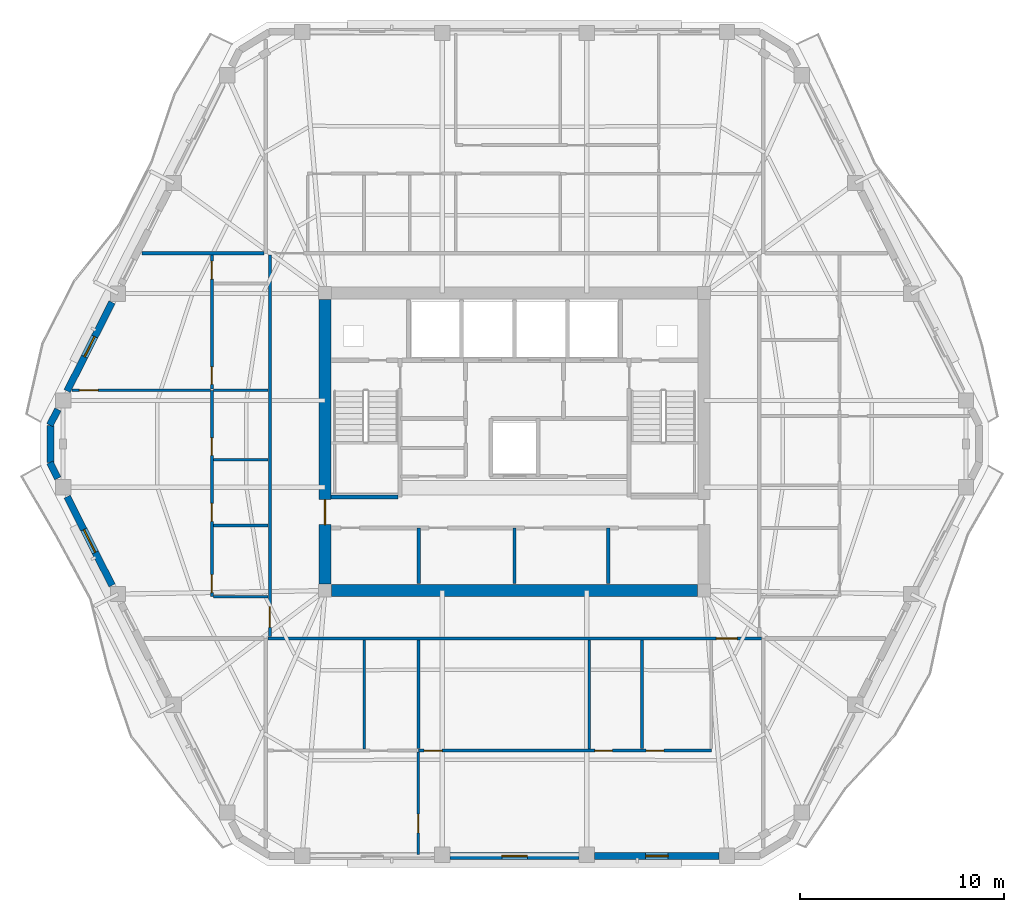
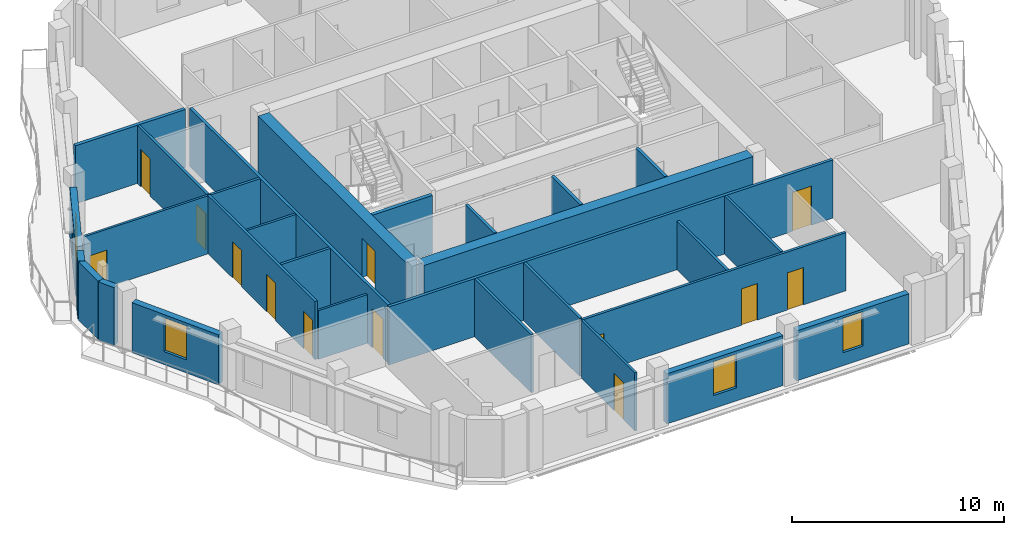
# One storey, part 4 of 12: 29 walls, 13 doors, 4 windows, 17 openings.
"""IFC4 building model written with IfcOpenShell, lengths in metres."""

from ifc_helpers import new_model, si_unit, direction, frame, frame_2d, origin, place, context, subcontext, project, spatial, rectangle, extrude, material, layer, layer_set, type_object, element, fill, save


model = new_model("IFC4")

# Units and contexts
model_context = context("Model", 3, precision=1e-05, world=origin(), true_north=direction((0.0, 1.0)))
body_context = subcontext(model_context, "Body", "Model", "MODEL_VIEW")
ifc_project = project(units=[si_unit("LENGTHUNIT", "METRE"), si_unit("AREAUNIT", "SQUARE_METRE"), si_unit("VOLUMEUNIT", "CUBIC_METRE"), si_unit("PLANEANGLEUNIT", "RADIAN"), si_unit("MASSUNIT", "GRAM", prefix="KILO")], contexts=[model_context])

# Site, building, storey
site_placement = place(None, origin())
site = spatial("IfcSite", under=ifc_project, at=site_placement, CompositionType="ELEMENT")
building_placement = place(site_placement, origin())
building = spatial("IfcBuilding", under=site, at=building_placement, Name="Cinnabar Lancet Tower", CompositionType="ELEMENT")
storey_placement = place(building_placement, frame((0.0, 0.0, 210.949951171875)))
storey = spatial("IfcBuildingStorey", under=building, at=storey_placement, Name="L56", CompositionType="ELEMENT", Elevation=210.949951171875)

# Walls
ifc_material_1 = material(Name="Acoustic twin-stud gypsum partition", Category="gypsum")
ifc_layer_1 = layer(ifc_material_1, 0.159912109375)
ifc_layer_set_1 = layer_set([ifc_layer_1], Name="Acoustic twin-stud gypsum partition")
wall_type_1 = type_object("IfcWallType", Name="ARC-WL-CORR-160", PredefinedType="PARTITIONING", material=ifc_layer_set_1)
for number, where, z_axis, x_axis, name in (
    (1, (27.699951171875, 18.949951171875, 0.0), (0.0, 0.0, 1.0), (0.0, 1.0, 0.0), "CW-SB-2770-L56"),
    (2, (32.39990234375, 18.949951171875, 0.0), (0.0, 0.0, 1.0), (0.0, 1.0, 0.0), "CW-SB-3240-L56"),
    (3, (37.0, 18.949951171875, 0.0), (0.0, 0.0, 1.0), (0.0, 1.0, 0.0), "CW-SB-3700-L56"),
):
    element("IfcWall", number, at=place(storey_placement, frame(where, z_axis=z_axis, x_axis=x_axis)), inside=storey, type_object=wall_type_1, Name=name, PredefinedType="PARTITIONING", context=body_context, shape_type="SweptSolid", body=[
        extrude(rectangle(XDim=2.72998046875, YDim=0.159912109375, at=frame_2d((1.364990234375, 0.0))), origin(), (0.0, 0.0, 1.0), 3.35009765625),
    ])

# Wall, opening, door
wall_1_placement = place(storey_placement, frame((20.294921875, 16.25, 0.0), z_axis=(0.0, 0.0, 1.0), x_axis=(1.0, 0.0, 0.0)))
wall_1 = element("IfcWall", 4, at=wall_1_placement, inside=storey, type_object=wall_type_1, Name="L56 Unit S01 Corridor Wall", PredefinedType="PARTITIONING", context=body_context, shape_type="SweptSolid", body=[
    extrude(rectangle(XDim=24.2099609375, YDim=0.159912109375, at=frame_2d((12.10498046875, 0.0))), origin(), (0.0, 0.0, 1.0), 3.35009765625),
])
opening_1_placement = place(wall_1_placement, frame((22.0048828125, 0.0, 0.0)))
opening_1 = element("IfcOpeningElement", 5, at=opening_1_placement, cuts=wall_1, Name="Opening UD-01", PredefinedType="OPENING", context=body_context, shape_type="SweptSolid", body=[
    extrude(rectangle(XDim=1.02001953125, YDim=2.25, at=frame_2d((0.510009765625, 1.125))), frame((0.0, 0.08984375, 0.0), z_axis=(0.0, -1.0, 0.0), x_axis=(1.0, 0.0, 0.0)), (0.0, 0.0, 1.0), 0.179931640625),
])
ifc_material_2 = material(Name="Solid timber fire-rated apartment entrance door", Category="wood")
door_type_1 = type_object("IfcDoorType", Name="ARC-DR-UNIT", OperationType="NOTDEFINED", PredefinedType="DOOR", material=ifc_material_2)
door_1_placement = place(opening_1_placement, origin())
door_1 = element("IfcDoor", 6, at=door_1_placement, inside=storey, type_object=door_type_1, Name="DR-L56-S01-ENT", OperationType="SINGLE_SWING_RIGHT", OverallHeight=2.25, OverallWidth=1.02001953125, PredefinedType="DOOR", context=body_context, shape_type="SweptSolid", body=[
    extrude(rectangle(XDim=1.02001953125, YDim=2.25, at=frame_2d((0.510009765625, 1.125))), frame((0.0, 0.02490234375, 0.0), z_axis=(0.0, -1.0, 0.0), x_axis=(1.0, 0.0, 0.0)), (0.0, 0.0, 1.0), 0.050048828125),
])
fill(opening_1, door_1)

wall_2_placement = place(storey_placement, frame((20.39990234375, 16.344970703125, 0.0), z_axis=(0.0, 0.0, 1.0), x_axis=(0.0, 1.0, 0.0)))
wall_2 = element("IfcWall", 7, at=wall_2_placement, inside=storey, type_object=wall_type_1, Name="UW-L56-W01-COR", PredefinedType="PARTITIONING", context=body_context, shape_type="SweptSolid", body=[
    extrude(rectangle(XDim=18.7099609375, YDim=0.159912109375, at=frame_2d((9.35498046875, 0.0))), origin(), (0.0, 0.0, 1.0), 3.35009765625),
])
opening_2_placement = place(wall_2_placement, frame((0.449951171875, 0.0, 0.0)))
opening_2 = element("IfcOpeningElement", 8, at=opening_2_placement, cuts=wall_2, Name="Opening UD-01", PredefinedType="OPENING", context=body_context, shape_type="SweptSolid", body=[
    extrude(rectangle(XDim=1.02001953125, YDim=2.25, at=frame_2d((0.510009765625, 1.125))), frame((0.0, 0.08984375, 0.0), z_axis=(0.0, -1.0, 0.0), x_axis=(1.0, 0.0, 0.0)), (0.0, 0.0, 1.0), 0.179931640625),
])
door_2_placement = place(opening_2_placement, origin())
door_2 = element("IfcDoor", 9, at=door_2_placement, inside=storey, type_object=door_type_1, Name="DR-L56-W01-ENT", OperationType="SINGLE_SWING_RIGHT", OverallHeight=2.25, OverallWidth=1.02001953125, PredefinedType="DOOR", context=body_context, shape_type="SweptSolid", body=[
    extrude(rectangle(XDim=1.02001953125, YDim=2.25, at=frame_2d((0.510009765625, 1.125))), frame((0.0, 0.02490234375, 0.0), z_axis=(0.0, -1.0, 0.0), x_axis=(1.0, 0.0, 0.0)), (0.0, 0.0, 1.0), 0.050048828125),
])
fill(opening_2, door_2)

# Walls
ifc_material_3 = material(Name="Fire-rated twin-frame acoustic drywall", Category="gypsum")
ifc_layer_2 = layer(ifc_material_3, 0.179931640625)
ifc_layer_set_2 = layer_set([ifc_layer_2], Name="Fire-rated twin-frame acoustic drywall")
wall_type_2 = type_object("IfcWallType", Name="ARC-WL-PARTY-180", PredefinedType="PARTITIONING", material=ifc_layer_set_2)
wall_3_placement = place(storey_placement, frame((14.110107421875, 35.14990234375, 0.0), z_axis=(0.0, 0.0, 1.0), x_axis=(1.0, 0.0, 0.0)))
element("IfcWall", 10, at=wall_3_placement, inside=storey, type_object=wall_type_2, Name="PW-L56-WNB", PredefinedType="PARTITIONING", context=body_context, shape_type="SweptSolid", body=[
    extrude(rectangle(XDim=5.994873046875, YDim=0.179931640625, at=frame_2d((2.99755859375, 0.0))), origin(), (0.0, 0.0, 1.0), 3.35009765625),
])
ifc_material_4 = material(Name="Autoclaved aerated concrete blockwork", Category="masonry")
ifc_layer_3 = layer(ifc_material_4, 0.199951171875)
ifc_layer_set_3 = layer_set([ifc_layer_3], Name="Autoclaved aerated concrete blockwork")
wall_type_3 = type_object("IfcWallType", Name="ARC-WL-SHAFT-200", PredefinedType="PLUMBINGWALL", material=ifc_layer_set_3)
wall_4_placement = place(storey_placement, frame((23.405029296875, 23.199951171875, 0.0), z_axis=(0.0, 0.0, 1.0), x_axis=(1.0, 0.0, 0.0)))
element("IfcWall", 11, at=wall_4_placement, inside=storey, type_object=wall_type_3, Name="CW-ST1S-L56", PredefinedType="PLUMBINGWALL", context=body_context, shape_type="SweptSolid", body=[
    extrude(rectangle(XDim=3.27001953125, YDim=0.199951171875, at=frame_2d((1.635009765625, 0.0))), origin(), (0.0, 0.0, 1.0), 3.35009765625),
])

# Wall, opening, door
ifc_material_5 = material(Name="Gypsum plasterboard stud partition", Category="gypsum")
ifc_layer_4 = layer(ifc_material_5, 0.125)
ifc_layer_set_4 = layer_set([ifc_layer_4], Name="Gypsum plasterboard stud partition")
wall_type_4 = type_object("IfcWallType", Name="ARC-WL-UNIT-125", PredefinedType="PARTITIONING", material=ifc_layer_set_4)
wall_5_placement = place(storey_placement, frame((27.68603515625, 5.6650390625, 0.0), z_axis=(0.0, 0.0, 1.0), x_axis=(0.0, 1.0, 0.0)))
wall_5 = element("IfcWall", 12, at=wall_5_placement, inside=storey, type_object=wall_type_4, Name="UW-L56-S01-MBW", PredefinedType="PARTITIONING", context=body_context, shape_type="SweptSolid", body=[
    extrude(rectangle(XDim=5.011962890625, YDim=0.125, at=frame_2d((2.505859375, 0.0))), origin(), (0.0, 0.0, 1.0), 3.35009765625),
])
opening_3_placement = place(wall_5_placement, frame((1.050048828125, 0.0, 0.0)))
opening_3 = element("IfcOpeningElement", 13, at=opening_3_placement, cuts=wall_5, Name="Opening RD-01", PredefinedType="OPENING", context=body_context, shape_type="SweptSolid", body=[
    extrude(rectangle(XDim=0.919921875, YDim=2.14990234375, at=frame_2d((0.4599609375, 1.074951171875))), frame((0.0, 0.072509765625, 0.0), z_axis=(0.0, -1.0, 0.0), x_axis=(1.0, 0.0, 0.0)), (0.0, 0.0, 1.0), 0.14501953125),
])
ifc_material_6 = material(Name="Engineered timber bedroom door", Category="wood")
door_type_2 = type_object("IfcDoorType", Name="ARC-DR-ROOM", OperationType="NOTDEFINED", PredefinedType="DOOR", material=ifc_material_6)
door_3_placement = place(opening_3_placement, origin())
door_3 = element("IfcDoor", 14, at=door_3_placement, inside=storey, type_object=door_type_2, Name="DR-L56-S01-MBD", OperationType="SINGLE_SWING_LEFT", OverallHeight=2.14990234375, OverallWidth=0.919921875, PredefinedType="DOOR", context=body_context, shape_type="SweptSolid", body=[
    extrude(rectangle(XDim=0.919921875, YDim=2.14990234375, at=frame_2d((0.4599609375, 1.074951171875))), frame((0.0, 0.02490234375, 0.0), z_axis=(0.0, -1.0, 0.0), x_axis=(1.0, 0.0, 0.0)), (0.0, 0.0, 1.0), 0.050048828125),
])
fill(opening_3, door_3)

# Wall
wall_6_placement = place(storey_placement, frame((17.635009765625, 18.300048828125, 0.0), z_axis=(0.0, 0.0, 1.0), x_axis=(1.0, 0.0, 0.0)))
element("IfcWall", 15, at=wall_6_placement, inside=storey, type_object=wall_type_4, Name="UW-L56-W01-FOYN", PredefinedType="PARTITIONING", context=body_context, shape_type="SweptSolid", body=[
    extrude(rectangle(XDim=2.679931640625, YDim=0.125, at=frame_2d((1.33984375, 0.0))), origin(), (0.0, 0.0, 1.0), 2.80712890625),
])

# Wall, opening, door
wall_7_placement = place(storey_placement, frame((10.694091796875, 28.428955078125, 0.0), z_axis=(0.0, 0.0, 1.0), x_axis=(1.0, 0.0, 0.0)))
wall_7 = element("IfcWall", 16, at=wall_7_placement, inside=storey, type_object=wall_type_4, Name="UW-L56-W01-MBN", PredefinedType="PARTITIONING", context=body_context, shape_type="SweptSolid", body=[
    extrude(rectangle(XDim=6.781005859375, YDim=0.125, at=frame_2d((3.390625, 0.0))), origin(), (0.0, 0.0, 1.0), 3.35009765625),
])
opening_4_placement = place(wall_7_placement, frame((0.35009765625, 0.0, 0.0)))
opening_4 = element("IfcOpeningElement", 17, at=opening_4_placement, cuts=wall_7, Name="Opening RD-01", PredefinedType="OPENING", context=body_context, shape_type="SweptSolid", body=[
    extrude(rectangle(XDim=0.919921875, YDim=2.14990234375, at=frame_2d((0.4599609375, 1.074951171875))), frame((0.0, 0.072509765625, 0.0), z_axis=(0.0, -1.0, 0.0), x_axis=(1.0, 0.0, 0.0)), (0.0, 0.0, 1.0), 0.14501953125),
])
door_4_placement = place(opening_4_placement, origin())
door_4 = element("IfcDoor", 18, at=door_4_placement, inside=storey, type_object=door_type_2, Name="DR-L56-W01-MBD", OperationType="SINGLE_SWING_RIGHT", OverallHeight=2.14990234375, OverallWidth=0.919921875, PredefinedType="DOOR", context=body_context, shape_type="SweptSolid", body=[
    extrude(rectangle(XDim=0.919921875, YDim=2.14990234375, at=frame_2d((0.4599609375, 1.074951171875))), frame((0.0, 0.02490234375, 0.0), z_axis=(0.0, -1.0, 0.0), x_axis=(1.0, 0.0, 0.0)), (0.0, 0.0, 1.0), 0.050048828125),
])
fill(opening_4, door_4)

# Wall
wall_8_placement = place(storey_placement, frame((17.635009765625, 25.029052734375, 0.0), z_axis=(0.0, 0.0, 1.0), x_axis=(1.0, 0.0, 0.0)))
element("IfcWall", 19, at=wall_8_placement, inside=storey, type_object=wall_type_4, Name="UW-L56-W01-UDV", PredefinedType="PARTITIONING", context=body_context, shape_type="SweptSolid", body=[
    extrude(rectangle(XDim=2.679931640625, YDim=0.125, at=frame_2d((1.33984375, 0.0))), origin(), (0.0, 0.0, 1.0), 3.35009765625),
])

# Wall, openings, doors
ifc_material_7 = material(Name="Moisture-resistant cement-board plumbing wall", Category="masonry")
ifc_layer_5 = layer(ifc_material_7, 0.139892578125)
ifc_layer_set_5 = layer_set([ifc_layer_5], Name="Moisture-resistant cement-board plumbing wall")
wall_type_5 = type_object("IfcWallType", Name="ARC-WL-WET-140", PredefinedType="PLUMBINGWALL", material=ifc_layer_set_5)
wall_9_placement = place(storey_placement, frame((27.68603515625, 10.751953125, 0.0), z_axis=(0.0, 0.0, 1.0), x_axis=(1.0, 0.0, 0.0)))
wall_9 = element("IfcWall", 20, at=wall_9_placement, inside=storey, type_object=wall_type_5, Name="UW-L56-S01-SPL", PredefinedType="PLUMBINGWALL", context=body_context, shape_type="SweptSolid", body=[
    extrude(rectangle(XDim=14.364013671875, YDim=0.139892578125, at=frame_2d((7.18212890625, 0.0))), origin(), (0.0, 0.0, 1.0), 3.35009765625),
])
opening_5_placement = place(wall_9_placement, frame((0.280029296875, 0.0, 0.0)))
opening_5 = element("IfcOpeningElement", 21, at=opening_5_placement, cuts=wall_9, Name="Opening RD-02", PredefinedType="OPENING", context=body_context, shape_type="SweptSolid", body=[
    extrude(rectangle(XDim=0.8798828125, YDim=2.14990234375, at=frame_2d((0.43994140625, 1.074951171875))), frame((0.0, 0.079833984375, 0.0), z_axis=(0.0, -1.0, 0.0), x_axis=(1.0, 0.0, 0.0)), (0.0, 0.0, 1.0), 0.159912109375),
])
opening_6_placement = place(wall_9_placement, frame((8.658935546875, 0.0, 0.0)))
opening_6 = element("IfcOpeningElement", 22, at=opening_6_placement, cuts=wall_9, Name="Opening BD-01", PredefinedType="OPENING", context=body_context, shape_type="SweptSolid", body=[
    extrude(rectangle(XDim=0.860107421875, YDim=2.10009765625, at=frame_2d((0.43017578125, 1.050048828125))), frame((0.0, 0.079833984375, 0.0), z_axis=(0.0, -1.0, 0.0), x_axis=(1.0, 0.0, 0.0)), (0.0, 0.0, 1.0), 0.159912109375),
])
opening_7_placement = place(wall_9_placement, frame((11.1640625, 0.0, 0.0)))
opening_7 = element("IfcOpeningElement", 23, at=opening_7_placement, cuts=wall_9, Name="Opening RD-02", PredefinedType="OPENING", context=body_context, shape_type="SweptSolid", body=[
    extrude(rectangle(XDim=0.8798828125, YDim=2.14990234375, at=frame_2d((0.43994140625, 1.074951171875))), frame((0.0, 0.079833984375, 0.0), z_axis=(0.0, -1.0, 0.0), x_axis=(1.0, 0.0, 0.0)), (0.0, 0.0, 1.0), 0.159912109375),
])
ifc_material_8 = material(Name="Moisture-resistant timber bathroom door", Category="wood")
door_type_3 = type_object("IfcDoorType", Name="ARC-DR-BATH", OperationType="NOTDEFINED", PredefinedType="DOOR", material=ifc_material_8)
door_5_placement = place(opening_6_placement, origin())
door_5 = element("IfcDoor", 24, at=door_5_placement, inside=storey, type_object=door_type_3, Name="DR-L56-S01-BTH", OperationType="SINGLE_SWING_RIGHT", OverallHeight=2.10009765625, OverallWidth=0.860107421875, PredefinedType="DOOR", context=body_context, shape_type="SweptSolid", body=[
    extrude(rectangle(XDim=0.860107421875, YDim=2.10009765625, at=frame_2d((0.43017578125, 1.050048828125))), frame((0.0, 0.02490234375, 0.0), z_axis=(0.0, -1.0, 0.0), x_axis=(1.0, 0.0, 0.0)), (0.0, 0.0, 1.0), 0.050048828125),
])
fill(opening_6, door_5)
ifc_material_9 = material(Name="Engineered timber study door", Category="wood")
door_type_4 = type_object("IfcDoorType", Name="ARC-DR-STUDY", OperationType="NOTDEFINED", PredefinedType="DOOR", material=ifc_material_9)
door_6_placement = place(opening_5_placement, origin())
door_6 = element("IfcDoor", 25, at=door_6_placement, inside=storey, type_object=door_type_4, Name="DR-L56-S01-BTH-WDR", OperationType="SINGLE_SWING_LEFT", OverallHeight=2.14990234375, OverallWidth=0.8798828125, PredefinedType="DOOR", context=body_context, shape_type="SweptSolid", body=[
    extrude(rectangle(XDim=0.8798828125, YDim=2.14990234375, at=frame_2d((0.43994140625, 1.074951171875))), frame((0.0, 0.02490234375, 0.0), z_axis=(0.0, -1.0, 0.0), x_axis=(1.0, 0.0, 0.0)), (0.0, 0.0, 1.0), 0.050048828125),
])
fill(opening_5, door_6)
door_7_placement = place(opening_7_placement, origin())
door_7 = element("IfcDoor", 26, at=door_7_placement, inside=storey, type_object=door_type_4, Name="DR-L56-S01-KIT", OperationType="SINGLE_SWING_RIGHT", OverallHeight=2.14990234375, OverallWidth=0.8798828125, PredefinedType="DOOR", context=body_context, shape_type="SweptSolid", body=[
    extrude(rectangle(XDim=0.8798828125, YDim=2.14990234375, at=frame_2d((0.43994140625, 1.074951171875))), frame((0.0, 0.02490234375, 0.0), z_axis=(0.0, -1.0, 0.0), x_axis=(1.0, 0.0, 0.0)), (0.0, 0.0, 1.0), 0.050048828125),
])
fill(opening_7, door_7)

# Walls
for number, where, z_axis, x_axis, name in (
    (27, (38.64990234375, 10.85693359375, 0.0), (0.0, 0.0, 1.0), (0.0, 1.0, 0.0), "UW-L56-S01-KBD"),
    (28, (27.68603515625, 10.85693359375, 0.0), (0.0, 0.0, 1.0), (0.0, 1.0, 0.0), "UW-L56-S01-ENSW"),
):
    element("IfcWall", number, at=place(storey_placement, frame(where, z_axis=z_axis, x_axis=x_axis)), inside=storey, type_object=wall_type_5, Name=name, PredefinedType="PLUMBINGWALL", context=body_context, shape_type="SweptSolid", body=[
        extrude(rectangle(XDim=5.30810546875, YDim=0.139892578125, at=frame_2d((2.654052734375, 0.0))), origin(), (0.0, 0.0, 1.0), 3.35009765625),
    ])
wall_10_placement = place(storey_placement, frame((36.06494140625, 10.8369140625, 0.0), z_axis=(0.0, 0.0, 1.0), x_axis=(0.0, 1.0, 0.0)))
element("IfcWall", 29, at=wall_10_placement, inside=storey, type_object=wall_type_5, Name="UW-L56-S01-BTH-WDV", PredefinedType="PLUMBINGWALL", context=body_context, shape_type="SweptSolid", body=[
    extrude(rectangle(XDim=5.328125, YDim=0.139892578125, at=frame_2d((2.6640625, 0.0))), origin(), (0.0, 0.0, 1.0), 2.80712890625),
])
wall_11_placement = place(storey_placement, frame((25.02587890625, 10.8369140625, 0.0), z_axis=(0.0, 0.0, 1.0), x_axis=(0.0, 1.0, 0.0)))
element("IfcWall", 30, at=wall_11_placement, inside=storey, type_object=wall_type_5, Name="UW-L56-S01-ENS-WDV", PredefinedType="PLUMBINGWALL", context=body_context, shape_type="SweptSolid", body=[
    extrude(rectangle(XDim=5.328125, YDim=0.139892578125, at=frame_2d((2.6640625, 0.0))), origin(), (0.0, 0.0, 1.0), 3.35009765625),
])

# Wall, openings, doors
wall_12_placement = place(storey_placement, frame((17.550048828125, 18.300048828125, 0.0), z_axis=(0.0, 0.0, 1.0), x_axis=(0.0, 1.0, 0.0)))
wall_12 = element("IfcWall", 31, at=wall_12_placement, inside=storey, type_object=wall_type_5, Name="UW-L56-W01-SPL", PredefinedType="PLUMBINGWALL", context=body_context, shape_type="SweptSolid", body=[
    extrude(rectangle(XDim=10.12890625, YDim=0.139892578125, at=frame_2d((5.064453125, 0.0))), origin(), (0.0, 0.0, 1.0), 3.35009765625),
])
opening_8_placement = place(wall_12_placement, frame((0.199951171875, 0.0, 0.0)))
opening_8 = element("IfcOpeningElement", 32, at=opening_8_placement, cuts=wall_12, Name="Opening RD-02", PredefinedType="OPENING", context=body_context, shape_type="SweptSolid", body=[
    extrude(rectangle(XDim=0.8798828125, YDim=2.14990234375, at=frame_2d((0.43994140625, 1.074951171875))), frame((0.0, 0.079833984375, 0.0), z_axis=(0.0, -1.0, 0.0), x_axis=(1.0, 0.0, 0.0)), (0.0, 0.0, 1.0), 0.159912109375),
])
opening_9_placement = place(wall_12_placement, frame((3.699951171875, 0.0, 0.0)))
opening_9 = element("IfcOpeningElement", 33, at=opening_9_placement, cuts=wall_12, Name="Opening RD-02", PredefinedType="OPENING", context=body_context, shape_type="SweptSolid", body=[
    extrude(rectangle(XDim=0.8798828125, YDim=2.14990234375, at=frame_2d((0.43994140625, 1.074951171875))), frame((0.0, 0.079833984375, 0.0), z_axis=(0.0, -1.0, 0.0), x_axis=(1.0, 0.0, 0.0)), (0.0, 0.0, 1.0), 0.159912109375),
])
opening_10_placement = place(wall_12_placement, frame((6.928955078125, 0.0, 0.0)))
opening_10 = element("IfcOpeningElement", 34, at=opening_10_placement, cuts=wall_12, Name="Opening BD-01", PredefinedType="OPENING", context=body_context, shape_type="SweptSolid", body=[
    extrude(rectangle(XDim=0.860107421875, YDim=2.10009765625, at=frame_2d((0.43017578125, 1.050048828125))), frame((0.0, 0.079833984375, 0.0), z_axis=(0.0, -1.0, 0.0), x_axis=(1.0, 0.0, 0.0)), (0.0, 0.0, 1.0), 0.159912109375),
])
door_8_placement = place(opening_10_placement, origin())
door_8 = element("IfcDoor", 35, at=door_8_placement, inside=storey, type_object=door_type_3, Name="DR-L56-W01-BTH", OperationType="SINGLE_SWING_LEFT", OverallHeight=2.10009765625, OverallWidth=0.860107421875, PredefinedType="DOOR", context=body_context, shape_type="SweptSolid", body=[
    extrude(rectangle(XDim=0.860107421875, YDim=2.10009765625, at=frame_2d((0.43017578125, 1.050048828125))), frame((0.0, 0.02490234375, 0.0), z_axis=(0.0, -1.0, 0.0), x_axis=(1.0, 0.0, 0.0)), (0.0, 0.0, 1.0), 0.050048828125),
])
fill(opening_10, door_8)
door_9_placement = place(opening_8_placement, origin())
door_9 = element("IfcDoor", 36, at=door_9_placement, inside=storey, type_object=door_type_4, Name="DR-L56-W01-KIT", OperationType="SINGLE_SWING_LEFT", OverallHeight=2.14990234375, OverallWidth=0.8798828125, PredefinedType="DOOR", context=body_context, shape_type="SweptSolid", body=[
    extrude(rectangle(XDim=0.8798828125, YDim=2.14990234375, at=frame_2d((0.43994140625, 1.074951171875))), frame((0.0, 0.02490234375, 0.0), z_axis=(0.0, -1.0, 0.0), x_axis=(1.0, 0.0, 0.0)), (0.0, 0.0, 1.0), 0.050048828125),
])
fill(opening_8, door_9)
door_10_placement = place(opening_9_placement, origin())
door_10 = element("IfcDoor", 37, at=door_10_placement, inside=storey, type_object=door_type_4, Name="DR-L56-W01-UTL", OperationType="SINGLE_SWING_RIGHT", OverallHeight=2.14990234375, OverallWidth=0.8798828125, PredefinedType="DOOR", context=body_context, shape_type="SweptSolid", body=[
    extrude(rectangle(XDim=0.8798828125, YDim=2.14990234375, at=frame_2d((0.43994140625, 1.074951171875))), frame((0.0, 0.02490234375, 0.0), z_axis=(0.0, -1.0, 0.0), x_axis=(1.0, 0.0, 0.0)), (0.0, 0.0, 1.0), 0.050048828125),
])
fill(opening_9, door_10)

wall_13_placement = place(storey_placement, frame((17.550048828125, 28.4990234375, 0.0), z_axis=(0.0, 0.0, 1.0), x_axis=(0.0, 1.0, 0.0)))
wall_13 = element("IfcWall", 38, at=wall_13_placement, inside=storey, type_object=wall_type_5, Name="UW-L56-W01-SPM", PredefinedType="PLUMBINGWALL", context=body_context, shape_type="SweptSolid", body=[
    extrude(rectangle(XDim=6.555908203125, YDim=0.139892578125, at=frame_2d((3.27783203125, 0.0))), origin(), (0.0, 0.0, 1.0), 3.35009765625),
])
opening_11_placement = place(wall_13_placement, frame((0.219970703125, 0.0, 0.0)))
opening_11 = element("IfcOpeningElement", 39, at=opening_11_placement, cuts=wall_13, Name="Opening BD-01", PredefinedType="OPENING", context=body_context, shape_type="SweptSolid", body=[
    extrude(rectangle(XDim=0.860107421875, YDim=2.10009765625, at=frame_2d((0.43017578125, 1.050048828125))), frame((0.0, 0.079833984375, 0.0), z_axis=(0.0, -1.0, 0.0), x_axis=(1.0, 0.0, 0.0)), (0.0, 0.0, 1.0), 0.159912109375),
])
opening_12_placement = place(wall_13_placement, frame((5.388916015625, 0.0, 0.0)))
opening_12 = element("IfcOpeningElement", 40, at=opening_12_placement, cuts=wall_13, Name="Opening RD-02", PredefinedType="OPENING", context=body_context, shape_type="SweptSolid", body=[
    extrude(rectangle(XDim=0.8798828125, YDim=2.14990234375, at=frame_2d((0.43994140625, 1.074951171875))), frame((0.0, 0.079833984375, 0.0), z_axis=(0.0, -1.0, 0.0), x_axis=(1.0, 0.0, 0.0)), (0.0, 0.0, 1.0), 0.159912109375),
])
door_11_placement = place(opening_11_placement, origin())
door_11 = element("IfcDoor", 41, at=door_11_placement, inside=storey, type_object=door_type_3, Name="DR-L56-W01-ENS", OperationType="SINGLE_SWING_RIGHT", OverallHeight=2.10009765625, OverallWidth=0.860107421875, PredefinedType="DOOR", context=body_context, shape_type="SweptSolid", body=[
    extrude(rectangle(XDim=0.860107421875, YDim=2.10009765625, at=frame_2d((0.43017578125, 1.050048828125))), frame((0.0, 0.02490234375, 0.0), z_axis=(0.0, -1.0, 0.0), x_axis=(1.0, 0.0, 0.0)), (0.0, 0.0, 1.0), 0.050048828125),
])
fill(opening_11, door_11)
door_12_placement = place(opening_12_placement, origin())
door_12 = element("IfcDoor", 42, at=door_12_placement, inside=storey, type_object=door_type_4, Name="DR-L56-W01-EWDR", OperationType="SINGLE_SWING_LEFT", OverallHeight=2.14990234375, OverallWidth=0.8798828125, PredefinedType="DOOR", context=body_context, shape_type="SweptSolid", body=[
    extrude(rectangle(XDim=0.8798828125, YDim=2.14990234375, at=frame_2d((0.43994140625, 1.074951171875))), frame((0.0, 0.02490234375, 0.0), z_axis=(0.0, -1.0, 0.0), x_axis=(1.0, 0.0, 0.0)), (0.0, 0.0, 1.0), 0.050048828125),
])
fill(opening_12, door_12)

# Walls
for number, where, z_axis, x_axis, name in (
    (43, (17.635009765625, 28.428955078125, 0.0), (0.0, 0.0, 1.0), (1.0, 0.0, 0.0), "UW-L56-W01-ENSN"),
    (44, (17.635009765625, 21.800048828125, 0.0), (0.0, 0.0, 1.0), (1.0, 0.0, 0.0), "UW-L56-W01-KDV"),
):
    element("IfcWall", number, at=place(storey_placement, frame(where, z_axis=z_axis, x_axis=x_axis)), inside=storey, type_object=wall_type_5, Name=name, PredefinedType="PLUMBINGWALL", context=body_context, shape_type="SweptSolid", body=[
        extrude(rectangle(XDim=2.679931640625, YDim=0.139892578125, at=frame_2d((1.33984375, 0.0))), origin(), (0.0, 0.0, 1.0), 3.35009765625),
    ])
ifc_material_10 = material(Name="Cinnabar red clay brick", Category="masonry")
ifc_layer_6 = layer(ifc_material_10, 0.340087890625)
ifc_layer_set_6 = layer_set([ifc_layer_6], Name="Cinnabar red clay brick")
wall_type_6 = type_object("IfcWallType", Name="ENV-WL-BRK-RED-340", PredefinedType="STANDARD", material=ifc_layer_set_6)
wall_14_placement = place(storey_placement, frame((9.6220703125, 26.7080078125, 0.0), z_axis=(0.0, 0.0, 1.0), x_axis=(0.0, -1.0, 0.0)))
element("IfcWall", 45, at=wall_14_placement, inside=storey, type_object=wall_type_6, Name="L56 Chamfered Corner Brick Pier 6.1", PredefinedType="STANDARD", context=body_context, shape_type="SweptSolid", body=[
    extrude(rectangle(XDim=1.81591796875, YDim=0.340087890625, at=frame_2d((0.907958984375, 0.0))), origin(), (0.0, 0.0, 1.0), 3.35009765625),
])

# Wall, opening, window
wall_15_placement = place(storey_placement, frame((29.236083984375, 5.580078125, 0.0), z_axis=(0.0, 0.0, 1.0), x_axis=(1.0, 0.0, 0.0)))
wall_15 = element("IfcWall", 46, at=wall_15_placement, inside=storey, type_object=wall_type_6, Name="L56 Face 1 Masonry Bay Wall 3", PredefinedType="STANDARD", context=body_context, shape_type="SweptSolid", body=[
    extrude(rectangle(XDim=6.327880859375, YDim=0.340087890625, at=frame_2d((3.1640625, 0.0))), origin(), (0.0, 0.0, 1.0), 2.883056640625),
])
opening_13_placement = place(wall_15_placement, frame((2.5390625, 0.0, 0.75)))
opening_13 = element("IfcOpeningElement", 47, at=opening_13_placement, cuts=wall_15, Name="Opening WN-03", PredefinedType="OPENING", context=body_context, shape_type="SweptSolid", body=[
    extrude(rectangle(XDim=1.25, YDim=1.949951171875, at=frame_2d((0.625, 0.97509765625))), frame((0.0, 0.179931640625, 0.0), z_axis=(0.0, -1.0, 0.0), x_axis=(1.0, 0.0, 0.0)), (0.0, 0.0, 1.0), 0.360107421875),
])
ifc_material_11 = material(Name="Thermally broken bronze-anodized aluminium low-E double glazing", Category="aluminium")
window_type_1 = type_object("IfcWindowType", Name="ENV-WN-LANCET-1250", PartitioningType="SINGLE_PANEL", PredefinedType="WINDOW", material=ifc_material_11)
window_1_placement = place(opening_13_placement, origin())
window_1 = element("IfcWindow", 48, at=window_1_placement, inside=storey, type_object=window_type_1, Name="L56 Face 1 Gothic Lancet Window 3", OverallHeight=1.949951171875, OverallWidth=1.25, PartitioningType="SINGLE_PANEL", PredefinedType="WINDOW", context=body_context, shape_type="SweptSolid", body=[
    extrude(rectangle(XDim=1.25, YDim=1.949951171875, at=frame_2d((0.625, 0.97509765625))), frame((0.0, 0.030029296875, 0.0), z_axis=(0.0, -1.0, 0.0), x_axis=(1.0, 0.0, 0.0)), (0.0, 0.0, 1.0), 0.06005859375),
])
fill(opening_13, window_1)

wall_16_placement = place(storey_placement, frame((36.322021484375, 5.580078125, 0.0), z_axis=(0.0, 0.0, 1.0), x_axis=(1.0, 0.0, 0.0)))
wall_16 = element("IfcWall", 49, at=wall_16_placement, inside=storey, type_object=wall_type_6, Name="L56 Face 1 Masonry Bay Wall 4", PredefinedType="STANDARD", context=body_context, shape_type="SweptSolid", body=[
    extrude(rectangle(XDim=6.119873046875, YDim=0.340087890625, at=frame_2d((3.06005859375, 0.0))), origin(), (0.0, 0.0, 1.0), 2.883056640625),
])
opening_14_placement = place(wall_16_placement, frame((2.510009765625, 0.0, 0.75)))
opening_14 = element("IfcOpeningElement", 50, at=opening_14_placement, cuts=wall_16, Name="Opening WN-04", PredefinedType="OPENING", context=body_context, shape_type="SweptSolid", body=[
    extrude(rectangle(XDim=1.10009765625, YDim=1.98291015625, at=frame_2d((0.550048828125, 0.991455078125))), frame((0.0, 0.179931640625, 0.0), z_axis=(0.0, -1.0, 0.0), x_axis=(1.0, 0.0, 0.0)), (0.0, 0.0, 1.0), 0.360107421875),
])
ifc_material_12 = material(Name="Thermally broken bronze-anodized aluminium tall lancet window", Category="aluminium")
window_type_2 = type_object("IfcWindowType", Name="ENV-WN-LANCET-1100", PartitioningType="SINGLE_PANEL", PredefinedType="WINDOW", material=ifc_material_12)
window_2_placement = place(opening_14_placement, origin())
window_2 = element("IfcWindow", 51, at=window_2_placement, inside=storey, type_object=window_type_2, Name="L56 Face 1 Gothic Lancet Window 4", OverallHeight=1.98291015625, OverallWidth=1.10009765625, PartitioningType="SINGLE_PANEL", PredefinedType="WINDOW", context=body_context, shape_type="SweptSolid", body=[
    extrude(rectangle(XDim=1.10009765625, YDim=1.98291015625, at=frame_2d((0.550048828125, 0.991455078125))), frame((0.0, 0.030029296875, 0.0), z_axis=(0.0, -1.0, 0.0), x_axis=(1.0, 0.0, 0.0)), (0.0, 0.0, 1.0), 0.06005859375),
])
fill(opening_14, window_2)

wall_17_placement = place(storey_placement, frame((12.653076171875, 32.7470703125, 0.0), z_axis=(0.0, 0.0, 1.0), x_axis=(-0.451545895749, -0.892247893824, 0.0)))
wall_17 = element("IfcWall", 52, at=wall_17_placement, inside=storey, type_object=wall_type_6, Name="L56 Face 5 Masonry Bay Wall 4", PredefinedType="STANDARD", context=body_context, shape_type="SweptSolid", body=[
    extrude(rectangle(XDim=4.885498046875, YDim=0.340087890625, at=frame_2d((2.44287109375, 0.0))), origin(), (0.0, 0.0, 1.0), 2.883056640625),
])
opening_15_placement = place(wall_17_placement, frame((1.89306640625, 0.0, 0.75)))
opening_15 = element("IfcOpeningElement", 53, at=opening_15_placement, cuts=wall_17, Name="Opening WN-04", PredefinedType="OPENING", context=body_context, shape_type="SweptSolid", body=[
    extrude(rectangle(XDim=1.10009765625, YDim=1.98291015625, at=frame_2d((0.550048828125, 0.991455078125))), frame((0.0, 0.179931640625, 0.0), z_axis=(0.0, -1.0, 0.0), x_axis=(1.0, 0.0, 0.0)), (0.0, 0.0, 1.0), 0.360107421875),
])
window_3_placement = place(opening_15_placement, origin())
window_3 = element("IfcWindow", 54, at=window_3_placement, inside=storey, type_object=window_type_2, Name="L56 Face 5 Gothic Lancet Window 4", OverallHeight=1.98291015625, OverallWidth=1.10009765625, PartitioningType="SINGLE_PANEL", PredefinedType="WINDOW", context=body_context, shape_type="SweptSolid", body=[
    extrude(rectangle(XDim=1.10009765625, YDim=1.98291015625, at=frame_2d((0.550048828125, 0.991455078125))), frame((0.0, 0.030029296875, 0.0), z_axis=(0.0, -1.0, 0.0), x_axis=(1.0, 0.0, 0.0)), (0.0, 0.0, 1.0), 0.06005859375),
])
fill(opening_15, window_3)

# Walls
wall_18_placement = place(storey_placement, frame((9.993896484375, 27.492919921875, 0.0), z_axis=(0.0, 0.0, 1.0), x_axis=(-0.450796198004, -0.892626902947, 0.0)))
element("IfcWall", 55, at=wall_18_placement, inside=storey, type_object=wall_type_6, Name="L56 Face 5 Masonry Bay Wall 5", PredefinedType="STANDARD", context=body_context, shape_type="SweptSolid", body=[
    extrude(rectangle(XDim=0.871337890625, YDim=0.340087890625, at=frame_2d((0.435546875, 0.0))), origin(), (0.0, 0.0, 1.0), 3.35009765625),
])
wall_19_placement = place(storey_placement, frame((9.60107421875, 24.885009765625, 0.0), z_axis=(0.0, 0.0, 1.0), x_axis=(0.450683483537, -0.892683817299, 0.0)))
element("IfcWall", 56, at=wall_19_placement, inside=storey, type_object=wall_type_6, Name="L56 Face 6 Masonry Bay Wall 1", PredefinedType="STANDARD", context=body_context, shape_type="SweptSolid", body=[
    extrude(rectangle(XDim=0.87158203125, YDim=0.340087890625, at=frame_2d((0.435791015625, 0.0))), origin(), (0.0, 0.0, 1.0), 3.35009765625),
])

# Wall, opening, window
wall_20_placement = place(storey_placement, frame((10.447021484375, 23.2119140625, 0.0), z_axis=(0.0, 0.0, 1.0), x_axis=(0.451566029745, -0.892237704191, 0.0)))
wall_20 = element("IfcWall", 57, at=wall_20_placement, inside=storey, type_object=wall_type_6, Name="L56 Face 6 Masonry Bay Wall 2", PredefinedType="STANDARD", context=body_context, shape_type="SweptSolid", body=[
    extrude(rectangle(XDim=4.88525390625, YDim=0.340087890625, at=frame_2d((2.442626953125, 0.0))), origin(), (0.0, 0.0, 1.0), 2.883056640625),
])
opening_16_placement = place(wall_20_placement, frame((1.818115234375, 0.0, 0.75)))
opening_16 = element("IfcOpeningElement", 58, at=opening_16_placement, cuts=wall_20, Name="Opening WN-03", PredefinedType="OPENING", context=body_context, shape_type="SweptSolid", body=[
    extrude(rectangle(XDim=1.25, YDim=1.949951171875, at=frame_2d((0.625, 0.97509765625))), frame((0.0, 0.179931640625, 0.0), z_axis=(0.0, -1.0, 0.0), x_axis=(1.0, 0.0, 0.0)), (0.0, 0.0, 1.0), 0.360107421875),
])
window_4_placement = place(opening_16_placement, origin())
window_4 = element("IfcWindow", 59, at=window_4_placement, inside=storey, type_object=window_type_1, Name="L56 Face 6 Gothic Lancet Window 2", OverallHeight=1.949951171875, OverallWidth=1.25, PartitioningType="SINGLE_PANEL", PredefinedType="WINDOW", context=body_context, shape_type="SweptSolid", body=[
    extrude(rectangle(XDim=1.25, YDim=1.949951171875, at=frame_2d((0.625, 0.97509765625))), frame((0.0, 0.030029296875, 0.0), z_axis=(0.0, -1.0, 0.0), x_axis=(1.0, 0.0, 0.0)), (0.0, 0.0, 1.0), 0.06005859375),
])
fill(opening_16, window_4)

# Wall
ifc_material_13 = material(Name="Concrete C60/75", Category="concrete")
ifc_layer_7 = layer(ifc_material_13, 0.60009765625)
ifc_layer_set_7 = layer_set([ifc_layer_7], Name="Concrete C60/75")
wall_type_7 = type_object("IfcWallType", Name="STR-WL-CORE-600", PredefinedType="SHEAR", material=ifc_layer_set_7)
wall_21_placement = place(storey_placement, frame((23.425048828125, 18.60009765625, 0.0), z_axis=(0.0, 0.0, 1.0), x_axis=(1.0, 0.0, 0.0)))
element("IfcWall", 60, at=wall_21_placement, inside=storey, type_object=wall_type_7, Name="L56 Core Shear Wall S", PredefinedType="SHEAR", context=body_context, shape_type="SweptSolid", body=[
    extrude(rectangle(XDim=17.949951171875, YDim=0.60009765625, at=frame_2d((8.97509765625, 0.0))), origin(), (0.0, 0.0, 1.0), 3.35009765625),
])

# Wall, opening, door
wall_22_placement = place(storey_placement, frame((23.10009765625, 18.925048828125, 0.0), z_axis=(0.0, 0.0, 1.0), x_axis=(0.0, 1.0, 0.0)))
wall_22 = element("IfcWall", 61, at=wall_22_placement, inside=storey, type_object=wall_type_7, Name="L56 Core Shear Wall W", PredefinedType="SHEAR", context=body_context, shape_type="SweptSolid", body=[
    extrude(rectangle(XDim=13.949951171875, YDim=0.60009765625, at=frame_2d((6.97509765625, 0.0))), origin(), (0.0, 0.0, 1.0), 3.35009765625),
])
opening_17_placement = place(wall_22_placement, frame((2.9150390625, 0.0, 0.0)))
opening_17 = element("IfcOpeningElement", 62, at=opening_17_placement, cuts=wall_22, Name="Opening FD-02", PredefinedType="OPENING", context=body_context, shape_type="SweptSolid", body=[
    extrude(rectangle(XDim=1.219970703125, YDim=2.25, at=frame_2d((0.60986328125, 1.125))), frame((0.0, 0.31005859375, 0.0), z_axis=(0.0, -1.0, 0.0), x_axis=(1.0, 0.0, 0.0)), (0.0, 0.0, 1.0), 0.6201171875),
])
ifc_material_14 = material(Name="Fire-rated double-vision core portal door", Category="wood")
door_type_5 = type_object("IfcDoorType", Name="ARC-DR-CPORT", OperationType="NOTDEFINED", PredefinedType="DOOR", material=ifc_material_14)
door_13_placement = place(opening_17_placement, origin())
door_13 = element("IfcDoor", 63, at=door_13_placement, inside=storey, type_object=door_type_5, Name="L56 West Core Lobby Fire Door", OperationType="SINGLE_SWING_RIGHT", OverallHeight=2.25, OverallWidth=1.219970703125, PredefinedType="DOOR", context=body_context, shape_type="SweptSolid", body=[
    extrude(rectangle(XDim=1.219970703125, YDim=2.25, at=frame_2d((0.60986328125, 1.125))), frame((0.0, 0.02490234375, 0.0), z_axis=(0.0, -1.0, 0.0), x_axis=(1.0, 0.0, 0.0)), (0.0, 0.0, 1.0), 0.050048828125),
])
fill(opening_17, door_13)

save(model, "model.ifc")
